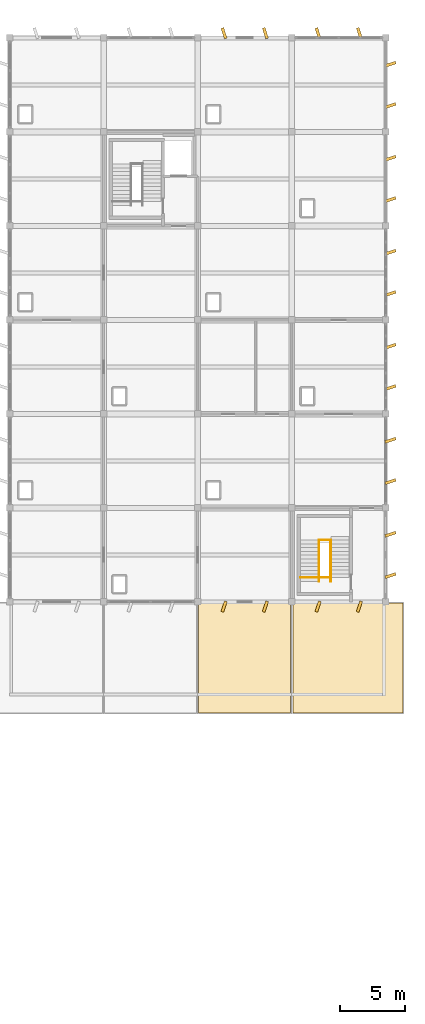
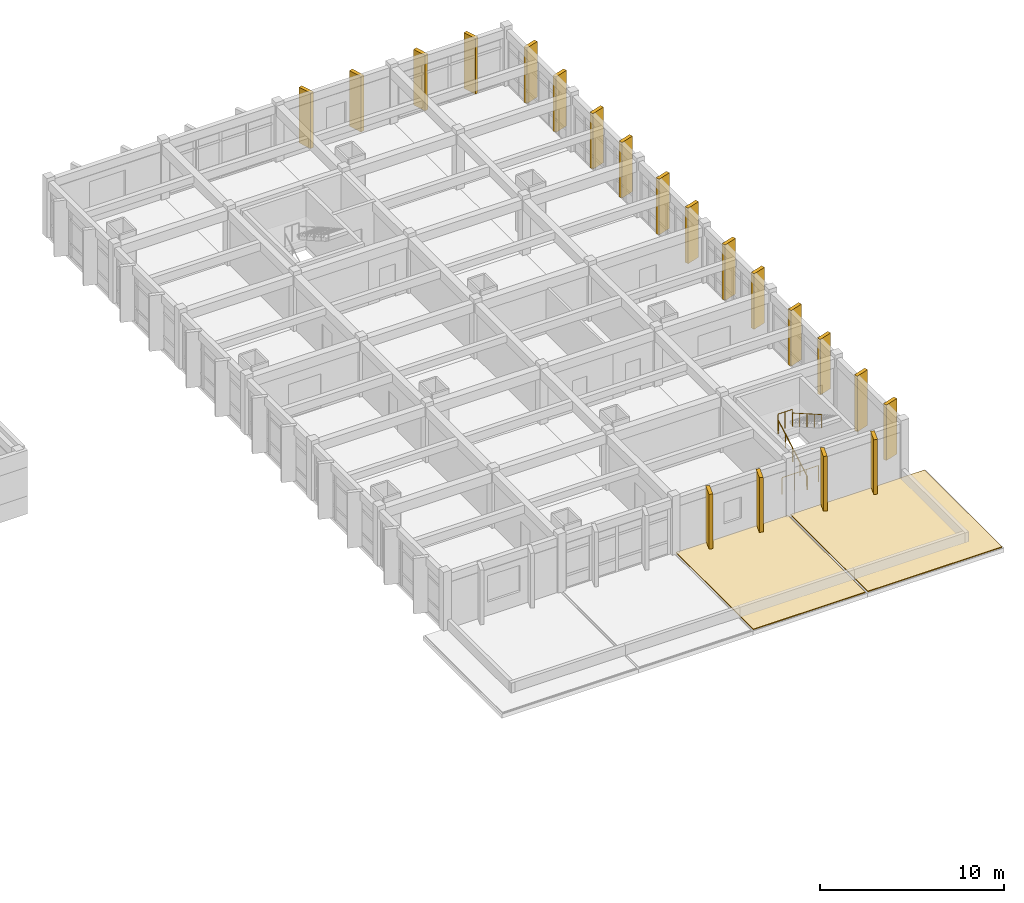
# One storey, part 40 of 40: 22 coverings, 4 railings.
"""IFC4 building model written with IfcOpenShell, lengths in metres."""

from ifc_helpers import new_model, si_unit, direction, frame, origin, origin_2d, place, context, subcontext, project, spatial, polyline, rectangle, circle, outline, extrude, material, layer, layer_set, type_object, element, save


model = new_model("IFC4")

# Units and contexts
model_context = context("Model", 3, precision=1e-05, world=origin(), true_north=direction((0.0, 1.0)))
body_context = subcontext(model_context, "Body", "Model", "MODEL_VIEW")
ifc_project = project(units=[si_unit("LENGTHUNIT", "METRE"), si_unit("AREAUNIT", "SQUARE_METRE"), si_unit("VOLUMEUNIT", "CUBIC_METRE"), si_unit("PLANEANGLEUNIT", "RADIAN"), si_unit("MASSUNIT", "GRAM", prefix="KILO")], contexts=[model_context])

# Site, building, storey
site_placement = place(None, origin())
site = spatial("IfcSite", under=ifc_project, at=site_placement, CompositionType="ELEMENT")
building_placement = place(site_placement, origin())
building = spatial("IfcBuilding", under=site, at=building_placement, Name="Kavelor Marine Aquarium", CompositionType="ELEMENT")
storey_placement = place(building_placement, frame((0.0, 0.0, 17.639892578125)))
storey = spatial("IfcBuildingStorey", under=building, at=storey_placement, Name="L04", CompositionType="ELEMENT", Elevation=17.639892578125)

# Coverings
ifc_material_1 = material(Name="Precast Concrete C45/55 Coastal Brise-Soleil Fin", Category="concrete")
ifc_layer_1 = layer(ifc_material_1, 0.219970703125)
ifc_layer_set_1 = layer_set([ifc_layer_1], Name="COV-CL1")
covering_type_1 = type_object("IfcCoveringType", Name="COV-CL1", PredefinedType="CLADDING", material=ifc_layer_set_1)
for number, where, z_axis, x_axis, name in (
    (1, (147.56005859375, 69.615966796875, 0.0), (0.0, 0.0, 1.0), (0.951056516295, 0.309016994375, 0.0), "fin:y:L04:20_09:0"),
    (2, (147.56005859375, 72.783935546875, 0.0), (0.0, 0.0, 1.0), (0.951056516295, 0.309016994375, 0.0), "fin:y:L04:20_09:1"),
    (3, (147.56005859375, 76.81591796875, 0.0), (0.0, 0.0, 1.0), (0.951056516295, 0.309016994375, 0.0), "fin:y:L04:20_10:0"),
    (4, (147.56005859375, 79.98388671875, 0.0), (0.0, 0.0, 1.0), (0.951056516295, 0.309016994375, 0.0), "fin:y:L04:20_10:1"),
    (5, (147.56005859375, 84.01611328125, 0.0), (0.0, 0.0, 1.0), (0.951056516295, 0.309016994375, 0.0), "fin:y:L04:20_11:0"),
    (6, (147.56005859375, 87.18408203125, 0.0), (0.0, 0.0, 1.0), (0.951056516295, 0.309016994375, 0.0), "fin:y:L04:20_11:1"),
    (7, (147.56005859375, 91.216064453125, 0.0), (0.0, 0.0, 1.0), (0.951056516295, 0.309016994375, 0.0), "fin:y:L04:20_12:0"),
    (8, (147.56005859375, 94.384033203125, 0.0), (0.0, 0.0, 1.0), (0.951056516295, 0.309016994375, 0.0), "fin:y:L04:20_12:1"),
    (9, (147.56005859375, 98.416015625, 0.0), (0.0, 0.0, 1.0), (0.951056516295, 0.309016994375, 0.0), "fin:y:L04:20_13:0"),
    (10, (147.56005859375, 101.583984375, 0.0), (0.0, 0.0, 1.0), (0.951056516295, 0.309016994375, 0.0), "fin:y:L04:20_13:1"),
    (11, (147.56005859375, 105.615966796875, 0.0), (0.0, 0.0, 1.0), (0.951056516295, 0.309016994375, 0.0), "fin:y:L04:20_14:0"),
    (12, (147.56005859375, 108.783935546875, 0.0), (0.0, 0.0, 1.0), (0.951056516295, 0.309016994375, 0.0), "fin:y:L04:20_14:1"),
):
    element("IfcCovering", number, at=place(storey_placement, frame(where, z_axis=z_axis, x_axis=x_axis)), inside=storey, type_object=covering_type_1, Name=name, PredefinedType="CLADDING", context=body_context, shape_type="SweptSolid", body=[
        extrude(rectangle(XDim=0.85009765625, YDim=0.219970703125, at=origin_2d()), origin(), (0.0, 0.0, 1.0), 3.699951171875),
    ])
for number, where, z_axis, x_axis, name in (
    (13, (134.81591796875, 67.239990234375, 0.0), (0.0, 0.0, 1.0), (0.951056516295, -0.309016994375, 0.0), "fin:x:L04:18_09:0"),
    (14, (137.98388671875, 67.239990234375, 0.0), (0.0, 0.0, 1.0), (0.951056516295, -0.309016994375, 0.0), "fin:x:L04:18_09:1"),
    (15, (134.81591796875, 111.159912109375, 0.0), (0.0, 0.0, 1.0), (0.951056516295, 0.309016994375, 0.0), "fin:x:L04:18_15:0"),
    (16, (137.98388671875, 111.159912109375, 0.0), (0.0, 0.0, 1.0), (0.951056516295, 0.309016994375, 0.0), "fin:x:L04:18_15:1"),
    (17, (142.01611328125, 67.239990234375, 0.0), (0.0, 0.0, 1.0), (0.951056516295, -0.309016994375, 0.0), "fin:x:L04:19_09:0"),
    (18, (145.18408203125, 67.239990234375, 0.0), (0.0, 0.0, 1.0), (0.951056516295, -0.309016994375, 0.0), "fin:x:L04:19_09:1"),
    (19, (142.01611328125, 111.159912109375, 0.0), (0.0, 0.0, 1.0), (0.951056516295, 0.309016994375, 0.0), "fin:x:L04:19_15:0"),
    (20, (145.18408203125, 111.159912109375, 0.0), (0.0, 0.0, 1.0), (0.951056516295, 0.309016994375, 0.0), "fin:x:L04:19_15:1"),
):
    element("IfcCovering", number, at=place(storey_placement, frame(where, z_axis=z_axis, x_axis=x_axis)), inside=storey, type_object=covering_type_1, Name=name, PredefinedType="CLADDING", context=body_context, shape_type="SweptSolid", body=[
        extrude(rectangle(XDim=0.219970703125, YDim=0.85009765625, at=origin_2d()), origin(), (0.0, 0.0, 1.0), 3.699951171875),
    ])
ifc_material_2 = material(Name="TPO Reflective Waterproof Roofing Membrane")
ifc_layer_2 = layer(ifc_material_2, 0.06005859375)
ifc_layer_set_2 = layer_set([ifc_layer_2], Name="COV-RF1")
covering_type_2 = type_object("IfcCoveringType", Name="COV-RF1", PredefinedType="ROOFING", material=ifc_layer_set_2)
covering_1_placement = place(storey_placement, origin())
element("IfcCovering", 21, at=covering_1_placement, inside=storey, type_object=covering_type_2, Name="rcov:L04:18_08", PredefinedType="ROOFING", context=body_context, shape_type="SweptSolid", body=[
    extrude(outline(polyline([(132.8798828125, 59.080078125), (139.919921875, 59.080078125), (139.919921875, 67.52001953125), (132.8798828125, 67.52001953125), (132.8798828125, 59.080078125)])), origin(), (0.0, 0.0, 1.0), 0.06005859375),
])
covering_2_placement = place(storey_placement, origin())
element("IfcCovering", 22, at=covering_2_placement, inside=storey, type_object=covering_type_2, Name="rcov:L04:19_08", PredefinedType="ROOFING", context=body_context, shape_type="SweptSolid", body=[
    extrude(outline(polyline([(140.080078125, 59.080078125), (148.52001953125, 59.080078125), (148.52001953125, 67.52001953125), (140.080078125, 67.52001953125), (140.080078125, 59.080078125)])), origin(), (0.0, 0.0, 1.0), 0.06005859375),
])

# Railings
ifc_material_3 = material(Name="Brushed Stainless Steel Wall and Flight Handrail", Category="steel")
railing_type_1 = type_object("IfcRailingType", Name="RL-HR1", PredefinedType="HANDRAIL", material=ifc_material_3)
railing_1_placement = place(storey_placement, frame((142.090087890625, 69.159912109375, 0.0)))
element("IfcRailing", 23, at=railing_1_placement, inside=storey, type_object=railing_type_1, Name="Stair Handrail ST11-1", PredefinedType="HANDRAIL", context=body_context, shape_type="SweptSolid", body=[
    extrude(circle(Radius=0.02001953125, at=origin_2d()), frame((0.0, 0.0, 0.8798828125), z_axis=(0.0, 0.867662351192, 0.497153944291), x_axis=(-1.0, 0.0, 0.0)), (0.0, 0.0, 1.0), 3.651123046875),
    extrude(circle(Radius=0.01806640625, at=origin_2d()), origin(), (0.0, 0.0, 1.0), 0.85986328125),
    extrude(circle(Radius=0.01806640625, at=origin_2d()), frame((0.0, 0.7919921875, 0.453857421875)), (0.0, 0.0, 1.0), 0.85986328125),
    extrude(circle(Radius=0.01806640625, at=origin_2d()), frame((0.0, 1.583984375, 0.90771484375)), (0.0, 0.0, 1.0), 0.85986328125),
    extrude(circle(Radius=0.01806640625, at=origin_2d()), frame((0.0, 2.3759765625, 1.361328125)), (0.0, 0.0, 1.0), 0.85986328125),
    extrude(circle(Radius=0.01806640625, at=origin_2d()), frame((0.0, 3.16796875, 1.815185546875)), (0.0, 0.0, 1.0), 0.85986328125),
])
railing_2_placement = place(storey_placement, frame((142.989990234375, 72.327880859375, 1.980224609375)))
element("IfcRailing", 24, at=railing_2_placement, inside=storey, type_object=railing_type_1, Name="Stair Handrail ST11-2", PredefinedType="HANDRAIL", context=body_context, shape_type="SweptSolid", body=[
    extrude(circle(Radius=0.02001953125, at=origin_2d()), frame((0.0, 0.0, 0.8798828125), z_axis=(0.0, -0.86769119443, 0.497103601988), x_axis=(1.0, 0.0, 0.0)), (0.0, 0.0, 1.0), 3.651123046875),
    extrude(circle(Radius=0.01806640625, at=origin_2d()), origin(), (0.0, 0.0, 1.0), 0.85986328125),
    extrude(circle(Radius=0.01806640625, at=origin_2d()), frame((0.0, -0.7919921875, 0.45361328125)), (0.0, 0.0, 1.0), 0.85986328125),
    extrude(circle(Radius=0.01806640625, at=origin_2d()), frame((0.0, -1.583984375, 0.907470703125)), (0.0, 0.0, 1.0), 0.85986328125),
    extrude(circle(Radius=0.01806640625, at=origin_2d()), frame((0.0, -2.3759765625, 1.361328125)), (0.0, 0.0, 1.0), 0.85986328125),
    extrude(circle(Radius=0.01806640625, at=origin_2d()), frame((0.0, -3.16796875, 1.81494140625)), (0.0, 0.0, 1.0), 0.85986328125),
])
ifc_material_4 = material(Name="Brushed Stainless Steel Stair Guardrail", Category="steel")
railing_type_2 = type_object("IfcRailingType", Name="RL-SG1", PredefinedType="GUARDRAIL", material=ifc_material_4)
railing_3_placement = place(storey_placement, frame((142.090087890625, 72.35791015625, 1.980224609375)))
element("IfcRailing", 25, at=railing_3_placement, inside=storey, type_object=railing_type_2, Name="Landing Guardrail ST11-M", PredefinedType="GUARDRAIL", context=body_context, shape_type="SweptSolid", body=[
    extrude(circle(Radius=0.0224609375, at=origin_2d()), frame((0.0, 0.0, 1.09765625), z_axis=(1.0, 0.0, 0.0), x_axis=(0.0, 1.0, 0.0)), (0.0, 0.0, 1.0), 0.89990234375),
    extrude(circle(Radius=0.02099609375, at=origin_2d()), origin(), (0.0, 0.0, 1.0), 1.0751953125),
    extrude(circle(Radius=0.02099609375, at=origin_2d()), frame((0.449951171875, 0.0, 0.0)), (0.0, 0.0, 1.0), 1.0751953125),
    extrude(circle(Radius=0.02099609375, at=origin_2d()), frame((0.89990234375, 0.0, 0.0)), (0.0, 0.0, 1.0), 1.0751953125),
])
railing_4_placement = place(storey_placement, frame((140.679931640625, 69.47998046875, 0.0)))
element("IfcRailing", 26, at=railing_4_placement, inside=storey, type_object=railing_type_2, Name="Stairwell Guardrail ST11-W", PredefinedType="GUARDRAIL", context=body_context, shape_type="SweptSolid", body=[
    extrude(circle(Radius=0.0224609375, at=origin_2d()), frame((0.0, 0.0, 1.09765625), z_axis=(1.0, 0.0, 0.0), x_axis=(0.0, 1.0, 0.0)), (0.0, 0.0, 1.0), 2.300048828125),
    extrude(circle(Radius=0.02099609375, at=origin_2d()), origin(), (0.0, 0.0, 1.0), 1.0751953125),
    extrude(circle(Radius=0.02099609375, at=origin_2d()), frame((0.7666015625, 0.0, 0.0)), (0.0, 0.0, 1.0), 1.0751953125),
    extrude(circle(Radius=0.02099609375, at=origin_2d()), frame((1.533447265625, 0.0, 0.0)), (0.0, 0.0, 1.0), 1.0751953125),
    extrude(circle(Radius=0.02099609375, at=origin_2d()), frame((2.300048828125, 0.0, 0.0)), (0.0, 0.0, 1.0), 1.0751953125),
])

save(model, "model.ifc")
